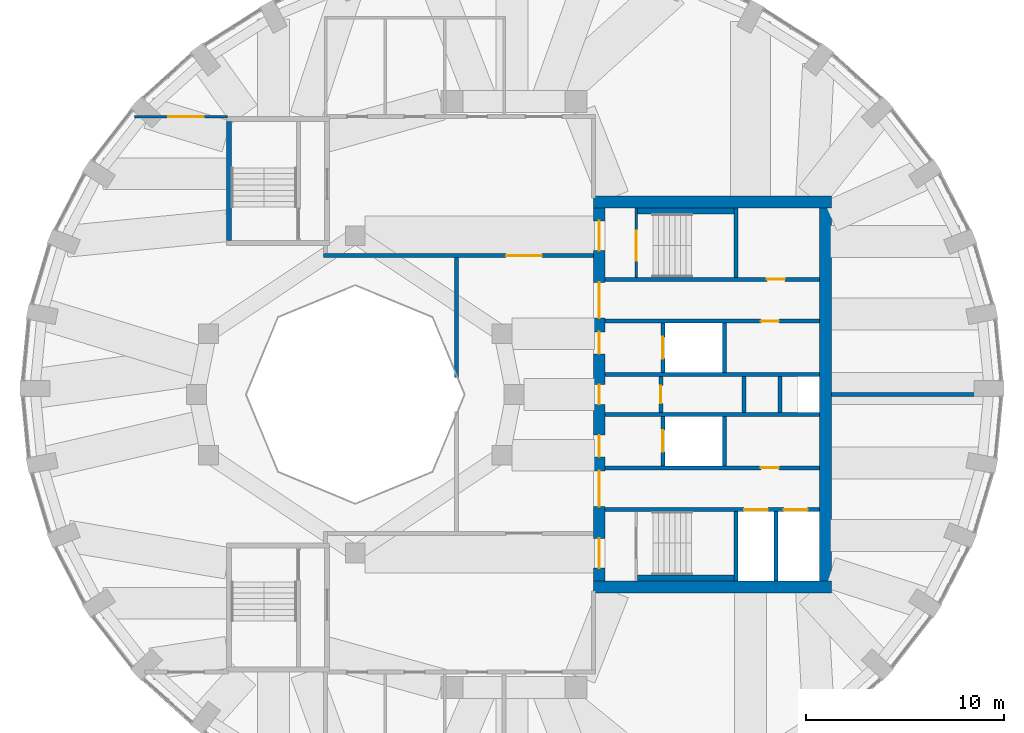
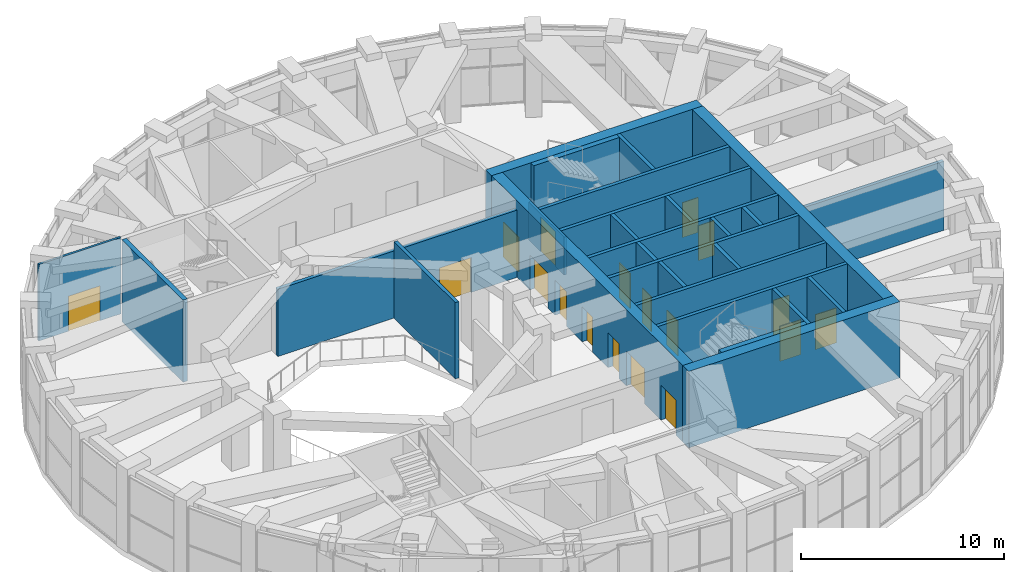
# One storey, part 13 of 16: 28 walls, 18 doors, 18 openings.
"""IFC4 building model written with IfcOpenShell, lengths in metres."""

from ifc_helpers import new_model, si_unit, direction, frame, frame_2d, origin, place, context, subcontext, project, spatial, rectangle, extrude, material, layer, layer_set, type_object, element, fill, save


model = new_model("IFC4")

# Units and contexts
model_context = context("Model", 3, precision=1e-05, world=origin(), true_north=direction((0.0, 1.0)))
body_context = subcontext(model_context, "Body", "Model", "MODEL_VIEW")
ifc_project = project(units=[si_unit("LENGTHUNIT", "METRE"), si_unit("AREAUNIT", "SQUARE_METRE"), si_unit("VOLUMEUNIT", "CUBIC_METRE"), si_unit("PLANEANGLEUNIT", "RADIAN"), si_unit("MASSUNIT", "GRAM", prefix="KILO")], contexts=[model_context])

# Site, building, storey
site_placement = place(None, origin())
site = spatial("IfcSite", under=ifc_project, at=site_placement, CompositionType="ELEMENT")
building_placement = place(site_placement, origin())
building = spatial("IfcBuilding", under=site, at=building_placement, Name="Taillehof Tower", CompositionType="ELEMENT")
storey_placement = place(building_placement, frame((0.0, 0.0, 264.199951171875)))
storey = spatial("IfcBuildingStorey", under=building, at=storey_placement, Name="L75", CompositionType="ELEMENT", Elevation=264.199951171875)

# Wall
ifc_material_1 = material(Name="Calcium silicate blockwork", Category="masonry")
ifc_layer_1 = layer(ifc_material_1, 0.199951171875)
ifc_layer_set_1 = layer_set([ifc_layer_1], Name="Compartment wall EI 60 200 mm")
wall_type_1 = type_object("IfcWallType", Name="Compartment wall EI 60 200 mm", PredefinedType="PARTITIONING", material=ifc_layer_set_1)
wall_1_placement = place(storey_placement, frame((15.998046875, 0.0, 0.0), z_axis=(0.0, 0.0, 1.0), x_axis=(1.0, 0.0, 0.0)))
element("IfcWall", 1, at=wall_1_placement, inside=storey, type_object=wall_type_1, Name="Wall L75-10 / L75-11", PredefinedType="PARTITIONING", context=body_context, shape_type="SweptSolid", body=[
    extrude(rectangle(XDim=8.232421875, YDim=0.199951171875, at=frame_2d((4.1162109375, 0.0))), origin(), (0.0, 0.0, 1.0), 4.14013671875),
])

# Wall, opening, door
wall_2_placement = place(storey_placement, frame((-9.60009765625, 7.0, 0.0), z_axis=(0.0, 0.0, 1.0), x_axis=(1.0, 0.0, 0.0)))
wall_2 = element("IfcWall", 2, at=wall_2_placement, inside=storey, type_object=wall_type_1, Name="Wall L75-07 / L75-12", PredefinedType="PARTITIONING", context=body_context, shape_type="SweptSolid", body=[
    extrude(rectangle(XDim=13.60205078125, YDim=0.199951171875, at=frame_2d((6.801025390625, 0.0))), origin(), (0.0, 0.0, 1.0), 4.0400390625),
])
opening_1_placement = place(wall_2_placement, frame((9.200927734375, 0.0, 0.0)))
opening_1 = element("IfcOpeningElement", 3, at=opening_1_placement, cuts=wall_2, Name="Opening D7547", PredefinedType="OPENING", context=body_context, shape_type="SweptSolid", body=[
    extrude(rectangle(XDim=1.800048828125, YDim=2.10009765625, at=frame_2d((0.89990234375, 1.050048828125))), frame((0.0, 0.10986328125, 0.0), z_axis=(0.0, -1.0, 0.0), x_axis=(1.0, 0.0, 0.0)), (0.0, 0.0, 1.0), 0.219970703125),
])
ifc_material_2 = material(Name="Hollow metal door set")
door_type_1 = type_object("IfcDoorType", Name="Double door 1800 x 2100 FD60S", OperationType="DOUBLE_DOOR_SINGLE_SWING", PredefinedType="DOOR", material=ifc_material_2)
door_1_placement = place(opening_1_placement, origin())
door_1 = element("IfcDoor", 4, at=door_1_placement, inside=storey, type_object=door_type_1, Name="Door D7547", OperationType="DOUBLE_DOOR_SINGLE_SWING", OverallHeight=2.10009765625, OverallWidth=1.800048828125, PredefinedType="DOOR", context=body_context, shape_type="SweptSolid", body=[
    extrude(rectangle(XDim=1.800048828125, YDim=2.10009765625, at=frame_2d((0.89990234375, 1.050048828125))), frame((0.0, 0.02490234375, 0.0), z_axis=(0.0, -1.0, 0.0), x_axis=(1.0, 0.0, 0.0)), (0.0, 0.0, 1.0), 0.050048828125),
])
fill(opening_1, door_1)

# Wall
wall_3_placement = place(storey_placement, frame((-2.89990234375, 0.86572265625, 0.0), z_axis=(0.0, 0.0, 1.0), x_axis=(0.0, 1.0, 0.0)))
element("IfcWall", 5, at=wall_3_placement, inside=storey, type_object=wall_type_1, Name="Wall L75-09 / L75-12", PredefinedType="PARTITIONING", context=body_context, shape_type="SweptSolid", body=[
    extrude(rectangle(XDim=6.0341796875, YDim=0.199951171875, at=frame_2d((3.01708984375, 0.0))), origin(), (0.0, 0.0, 1.0), 4.590087890625),
])

# Wall, opening, door
ifc_material_3 = material(Name="Calcium silicate masonry", Category="masonry")
ifc_layer_2 = layer(ifc_material_3, 0.199951171875)
ifc_layer_set_2 = layer_set([ifc_layer_2], Name="Compartment wall calcium silicate 200")
wall_type_2 = type_object("IfcWallType", Name="Compartment wall calcium silicate 200", PredefinedType="PARTITIONING", material=ifc_layer_set_2)
wall_4_placement = place(storey_placement, frame((7.39990234375, -0.89990234375, 0.0), z_axis=(0.0, 0.0, 1.0), x_axis=(0.0, 1.0, 0.0)))
wall_4 = element("IfcWall", 6, at=wall_4_placement, inside=storey, type_object=wall_type_2, Name="Compartment wall FW", PredefinedType="PARTITIONING", context=body_context, shape_type="SweptSolid", body=[
    extrude(rectangle(XDim=1.7998046875, YDim=0.199951171875, at=frame_2d((0.89990234375, 0.0))), origin(), (0.0, 0.0, 1.0), 4.590087890625),
])
opening_2_placement = place(wall_4_placement, frame((0.449951171875, 0.0, 0.0)))
opening_2 = element("IfcOpeningElement", 7, at=opening_2_placement, cuts=wall_4, Name="Opening D7515", PredefinedType="OPENING", context=body_context, shape_type="SweptSolid", body=[
    extrude(rectangle(XDim=0.89990234375, YDim=2.10009765625, at=frame_2d((0.449951171875, 1.050048828125))), frame((0.0, 0.10986328125, 0.0), z_axis=(0.0, -1.0, 0.0), x_axis=(1.0, 0.0, 0.0)), (0.0, 0.0, 1.0), 0.219970703125),
])
ifc_material_4 = material(Name="Steel-faced fire door", Category="steel")
door_type_2 = type_object("IfcDoorType", Name="Riser and service room door 900x2100", OperationType="SINGLE_SWING_LEFT", PredefinedType="DOOR", material=ifc_material_4)
door_2_placement = place(opening_2_placement, origin())
door_2 = element("IfcDoor", 8, at=door_2_placement, inside=storey, type_object=door_type_2, Name="Door Waste Room", OperationType="SINGLE_SWING_LEFT", OverallHeight=2.10009765625, OverallWidth=0.89990234375, PredefinedType="DOOR", context=body_context, shape_type="SweptSolid", body=[
    extrude(rectangle(XDim=0.89990234375, YDim=2.10009765625, at=frame_2d((0.449951171875, 1.050048828125))), frame((0.0, 0.02490234375, 0.0), z_axis=(0.0, -1.0, 0.0), x_axis=(1.0, 0.0, 0.0)), (0.0, 0.0, 1.0), 0.050048828125),
])
fill(opening_2, door_2)

# Walls
for number, where, z_axis, x_axis, name in (
    (9, (11.60009765625, -0.89990234375, 0.0), (0.0, 0.0, 1.0), (0.0, 1.0, 0.0), "Compartment wall FW"),
    (10, (13.39990234375, -0.89990234375, 0.0), (0.0, 0.0, 1.0), (0.0, 1.0, 0.0), "Compartment wall FW"),
):
    element("IfcWall", number, at=place(storey_placement, frame(where, z_axis=z_axis, x_axis=x_axis)), inside=storey, type_object=wall_type_2, Name=name, PredefinedType="PARTITIONING", context=body_context, shape_type="SweptSolid", body=[
        extrude(rectangle(XDim=1.7998046875, YDim=0.199951171875, at=frame_2d((0.89990234375, 0.0))), origin(), (0.0, 0.0, 1.0), 4.590087890625),
    ])
ifc_material_5 = material(Name="Calcium silicate masonry", Category="masonry")
ifc_layer_3 = layer(ifc_material_5, 0.300048828125)
ifc_layer_set_3 = layer_set([ifc_layer_3], Name="Compartment wall lining calcium silicate 300")
wall_type_3 = type_object("IfcWallType", Name="Compartment wall lining calcium silicate 300", PredefinedType="PARTITIONING", material=ifc_layer_set_3)
for number, where, z_axis, x_axis, name in (
    (11, (6.219970703125, 9.25, 0.0), (0.0, 0.0, 1.0), (1.0, 0.0, 0.0), "Compartment wall FW"),
    (12, (6.219970703125, -9.25, 0.0), (0.0, 0.0, 1.0), (1.0, 0.0, 0.0), "Compartment wall FW"),
):
    element("IfcWall", number, at=place(storey_placement, frame(where, z_axis=z_axis, x_axis=x_axis)), inside=storey, type_object=wall_type_3, Name=name, PredefinedType="PARTITIONING", context=body_context, shape_type="SweptSolid", body=[
        extrude(rectangle(XDim=4.880126953125, YDim=0.300048828125, at=frame_2d((2.43994140625, 0.0))), origin(), (0.0, 0.0, 1.0), 4.590087890625),
    ])

# Wall, openings, doors
ifc_material_6 = material(Name="Concrete C80/95", Category="concrete")
ifc_layer_4 = layer(ifc_material_6, 0.60009765625)
ifc_layer_set_4 = layer_set([ifc_layer_4], Name="Core wall C80/95 600")
wall_type_4 = type_object("IfcWallType", Name="Core wall C80/95 600", PredefinedType="SHEAR", material=ifc_layer_set_4)
wall_5_placement = place(storey_placement, frame((4.300048828125, -9.39990234375, 0.0), z_axis=(0.0, 0.0, 1.0), x_axis=(0.0, 1.0, 0.0)))
wall_5 = element("IfcWall", 13, at=wall_5_placement, inside=storey, type_object=wall_type_4, Name="Core wall CW01", PredefinedType="SHEAR", context=body_context, shape_type="SweptSolid", body=[
    extrude(rectangle(XDim=18.7998046875, YDim=0.60009765625, at=frame_2d((9.39990234375, 0.0))), origin(), (0.0, 0.0, 1.0), 4.590087890625),
])
opening_3_placement = place(wall_5_placement, frame((0.64990234375, 0.0, 0.0)))
opening_3 = element("IfcOpeningElement", 14, at=opening_3_placement, cuts=wall_5, Name="Opening D7501", PredefinedType="OPENING", context=body_context, shape_type="SweptSolid", body=[
    extrude(rectangle(XDim=1.5, YDim=2.10009765625, at=frame_2d((0.75, 1.050048828125))), frame((0.0, 0.31005859375, 0.0), z_axis=(0.0, -1.0, 0.0), x_axis=(1.0, 0.0, 0.0)), (0.0, 0.0, 1.0), 0.6201171875),
])
opening_4_placement = place(wall_5_placement, frame((3.75, 0.0, 0.0)))
opening_4 = element("IfcOpeningElement", 15, at=opening_4_placement, cuts=wall_5, Name="Opening D7502", PredefinedType="OPENING", context=body_context, shape_type="SweptSolid", body=[
    extrude(rectangle(XDim=1.800048828125, YDim=2.10009765625, at=frame_2d((0.89990234375, 1.050048828125))), frame((0.0, 0.31005859375, 0.0), z_axis=(0.0, -1.0, 0.0), x_axis=(1.0, 0.0, 0.0)), (0.0, 0.0, 1.0), 0.6201171875),
])
opening_5_placement = place(wall_5_placement, frame((6.25, 0.0, 0.0)))
opening_5 = element("IfcOpeningElement", 16, at=opening_5_placement, cuts=wall_5, Name="Opening D7503", PredefinedType="OPENING", context=body_context, shape_type="SweptSolid", body=[
    extrude(rectangle(XDim=1.10009765625, YDim=2.10009765625, at=frame_2d((0.550048828125, 1.050048828125))), frame((0.0, 0.31005859375, 0.0), z_axis=(0.0, -1.0, 0.0), x_axis=(1.0, 0.0, 0.0)), (0.0, 0.0, 1.0), 0.6201171875),
])
opening_6_placement = place(wall_5_placement, frame((8.89990234375, 0.0, 0.0)))
opening_6 = element("IfcOpeningElement", 17, at=opening_6_placement, cuts=wall_5, Name="Opening D7504", PredefinedType="OPENING", context=body_context, shape_type="SweptSolid", body=[
    extrude(rectangle(XDim=1.0, YDim=2.10009765625, at=frame_2d((0.5, 1.050048828125))), frame((0.0, 0.31005859375, 0.0), z_axis=(0.0, -1.0, 0.0), x_axis=(1.0, 0.0, 0.0)), (0.0, 0.0, 1.0), 0.6201171875),
])
opening_7_placement = place(wall_5_placement, frame((11.449951171875, 0.0, 0.0)))
opening_7 = element("IfcOpeningElement", 18, at=opening_7_placement, cuts=wall_5, Name="Opening D7505", PredefinedType="OPENING", context=body_context, shape_type="SweptSolid", body=[
    extrude(rectangle(XDim=1.10009765625, YDim=2.10009765625, at=frame_2d((0.550048828125, 1.050048828125))), frame((0.0, 0.31005859375, 0.0), z_axis=(0.0, -1.0, 0.0), x_axis=(1.0, 0.0, 0.0)), (0.0, 0.0, 1.0), 0.6201171875),
])
opening_8_placement = place(wall_5_placement, frame((13.25, 0.0, 0.0)))
opening_8 = element("IfcOpeningElement", 19, at=opening_8_placement, cuts=wall_5, Name="Opening D7506", PredefinedType="OPENING", context=body_context, shape_type="SweptSolid", body=[
    extrude(rectangle(XDim=1.800048828125, YDim=2.10009765625, at=frame_2d((0.89990234375, 1.050048828125))), frame((0.0, 0.31005859375, 0.0), z_axis=(0.0, -1.0, 0.0), x_axis=(1.0, 0.0, 0.0)), (0.0, 0.0, 1.0), 0.6201171875),
])
opening_9_placement = place(wall_5_placement, frame((16.64990234375, 0.0, 0.0)))
opening_9 = element("IfcOpeningElement", 20, at=opening_9_placement, cuts=wall_5, Name="Opening D7507", PredefinedType="OPENING", context=body_context, shape_type="SweptSolid", body=[
    extrude(rectangle(XDim=1.5, YDim=2.10009765625, at=frame_2d((0.75, 1.050048828125))), frame((0.0, 0.31005859375, 0.0), z_axis=(0.0, -1.0, 0.0), x_axis=(1.0, 0.0, 0.0)), (0.0, 0.0, 1.0), 0.6201171875),
])
ifc_material_7 = material(Name="Steel-faced fire door", Category="steel")
door_type_3 = type_object("IfcDoorType", Name="Firefighting lobby door 1100x2100", OperationType="SINGLE_SWING_RIGHT", PredefinedType="DOOR", material=ifc_material_7)
door_3_placement = place(opening_5_placement, origin())
door_3 = element("IfcDoor", 21, at=door_3_placement, inside=storey, type_object=door_type_3, Name="Firefighting lobby door FFL-S", OperationType="SINGLE_SWING_RIGHT", OverallHeight=2.10009765625, OverallWidth=1.10009765625, PredefinedType="DOOR", context=body_context, shape_type="SweptSolid", body=[
    extrude(rectangle(XDim=1.10009765625, YDim=2.10009765625, at=frame_2d((0.550048828125, 1.050048828125))), frame((0.0, 0.02490234375, 0.0), z_axis=(0.0, -1.0, 0.0), x_axis=(1.0, 0.0, 0.0)), (0.0, 0.0, 1.0), 0.050048828125),
])
fill(opening_5, door_3)
door_4_placement = place(opening_7_placement, origin())
door_4 = element("IfcDoor", 22, at=door_4_placement, inside=storey, type_object=door_type_3, Name="Firefighting lobby door FFL-N", OperationType="SINGLE_SWING_LEFT", OverallHeight=2.10009765625, OverallWidth=1.10009765625, PredefinedType="DOOR", context=body_context, shape_type="SweptSolid", body=[
    extrude(rectangle(XDim=1.10009765625, YDim=2.10009765625, at=frame_2d((0.550048828125, 1.050048828125))), frame((0.0, 0.02490234375, 0.0), z_axis=(0.0, -1.0, 0.0), x_axis=(1.0, 0.0, 0.0)), (0.0, 0.0, 1.0), 0.050048828125),
])
fill(opening_7, door_4)
ifc_material_8 = material(Name="Steel-faced fire door", Category="steel")
door_type_4 = type_object("IfcDoorType", Name="Lift lobby door 1800x2100", OperationType="DOUBLE_DOOR_SINGLE_SWING", PredefinedType="DOOR", material=ifc_material_8)
door_5_placement = place(opening_4_placement, origin())
door_5 = element("IfcDoor", 23, at=door_5_placement, inside=storey, type_object=door_type_4, Name="Lift lobby door LL-S", OperationType="DOUBLE_DOOR_SINGLE_SWING", OverallHeight=2.10009765625, OverallWidth=1.800048828125, PredefinedType="DOOR", context=body_context, shape_type="SweptSolid", body=[
    extrude(rectangle(XDim=1.800048828125, YDim=2.10009765625, at=frame_2d((0.89990234375, 1.050048828125))), frame((0.0, 0.02490234375, 0.0), z_axis=(0.0, -1.0, 0.0), x_axis=(1.0, 0.0, 0.0)), (0.0, 0.0, 1.0), 0.050048828125),
])
fill(opening_4, door_5)
door_6_placement = place(opening_8_placement, origin())
door_6 = element("IfcDoor", 24, at=door_6_placement, inside=storey, type_object=door_type_4, Name="Lift lobby door LL-N", OperationType="DOUBLE_DOOR_SINGLE_SWING", OverallHeight=2.10009765625, OverallWidth=1.800048828125, PredefinedType="DOOR", context=body_context, shape_type="SweptSolid", body=[
    extrude(rectangle(XDim=1.800048828125, YDim=2.10009765625, at=frame_2d((0.89990234375, 1.050048828125))), frame((0.0, 0.02490234375, 0.0), z_axis=(0.0, -1.0, 0.0), x_axis=(1.0, 0.0, 0.0)), (0.0, 0.0, 1.0), 0.050048828125),
])
fill(opening_8, door_6)
ifc_material_9 = material(Name="Steel-faced fire door", Category="steel")
door_type_5 = type_object("IfcDoorType", Name="Service door 1000x2100", OperationType="SINGLE_SWING_RIGHT", PredefinedType="DOOR", material=ifc_material_9)
door_7_placement = place(opening_6_placement, origin())
door_7 = element("IfcDoor", 25, at=door_7_placement, inside=storey, type_object=door_type_5, Name="Service door SV", OperationType="SINGLE_SWING_RIGHT", OverallHeight=2.10009765625, OverallWidth=1.0, PredefinedType="DOOR", context=body_context, shape_type="SweptSolid", body=[
    extrude(rectangle(XDim=1.0, YDim=2.10009765625, at=frame_2d((0.5, 1.050048828125))), frame((0.0, 0.02490234375, 0.0), z_axis=(0.0, -1.0, 0.0), x_axis=(1.0, 0.0, 0.0)), (0.0, 0.0, 1.0), 0.050048828125),
])
fill(opening_6, door_7)
ifc_material_10 = material(Name="Steel-faced fire door", Category="steel")
door_type_6 = type_object("IfcDoorType", Name="Stair door 1500x2100", OperationType="DOUBLE_DOOR_SINGLE_SWING", PredefinedType="DOOR", material=ifc_material_10)
door_8_placement = place(opening_3_placement, origin())
door_8 = element("IfcDoor", 26, at=door_8_placement, inside=storey, type_object=door_type_6, Name="Stair door S2", OperationType="DOUBLE_DOOR_SINGLE_SWING", OverallHeight=2.10009765625, OverallWidth=1.5, PredefinedType="DOOR", context=body_context, shape_type="SweptSolid", body=[
    extrude(rectangle(XDim=1.5, YDim=2.10009765625, at=frame_2d((0.75, 1.050048828125))), frame((0.0, 0.02490234375, 0.0), z_axis=(0.0, -1.0, 0.0), x_axis=(1.0, 0.0, 0.0)), (0.0, 0.0, 1.0), 0.050048828125),
])
fill(opening_3, door_8)
door_9_placement = place(opening_9_placement, origin())
door_9 = element("IfcDoor", 27, at=door_9_placement, inside=storey, type_object=door_type_6, Name="Stair door S1", OperationType="DOUBLE_DOOR_SINGLE_SWING", OverallHeight=2.10009765625, OverallWidth=1.5, PredefinedType="DOOR", context=body_context, shape_type="SweptSolid", body=[
    extrude(rectangle(XDim=1.5, YDim=2.10009765625, at=frame_2d((0.75, 1.050048828125))), frame((0.0, 0.02490234375, 0.0), z_axis=(0.0, -1.0, 0.0), x_axis=(1.0, 0.0, 0.0)), (0.0, 0.0, 1.0), 0.050048828125),
])
fill(opening_9, door_9)

# Walls
wall_6_placement = place(storey_placement, frame((15.699951171875, -9.39990234375, 0.0), z_axis=(0.0, 0.0, 1.0), x_axis=(0.0, 1.0, 0.0)))
element("IfcWall", 28, at=wall_6_placement, inside=storey, type_object=wall_type_4, Name="Core wall CW05", PredefinedType="SHEAR", context=body_context, shape_type="SweptSolid", body=[
    extrude(rectangle(XDim=18.7998046875, YDim=0.60009765625, at=frame_2d((9.39990234375, 0.0))), origin(), (0.0, 0.0, 1.0), 4.590087890625),
])
for number, where, z_axis, x_axis, name in (
    (29, (4.0, 9.699951171875, 0.0), (0.0, 0.0, 1.0), (1.0, 0.0, 0.0), "Core wall CW06"),
    (30, (4.0, -9.699951171875, 0.0), (0.0, 0.0, 1.0), (1.0, 0.0, 0.0), "Core wall CW07"),
):
    element("IfcWall", number, at=place(storey_placement, frame(where, z_axis=z_axis, x_axis=x_axis)), inside=storey, type_object=wall_type_4, Name=name, PredefinedType="SHEAR", context=body_context, shape_type="SweptSolid", body=[
        extrude(rectangle(XDim=12.0, YDim=0.60009765625, at=frame_2d((6.0, 0.0))), origin(), (0.0, 0.0, 1.0), 4.590087890625),
    ])

# Wall, opening, door
ifc_material_11 = material(Name="Gypsum board partition on steel studs", Category="steel")
ifc_layer_5 = layer(ifc_material_11, 0.125)
ifc_layer_set_5 = layer_set([ifc_layer_5], Name="Partition wall EI 30 125 mm")
wall_type_5 = type_object("IfcWallType", Name="Partition wall EI 30 125 mm", PredefinedType="PARTITIONING", material=ifc_layer_set_5)
wall_7_placement = place(storey_placement, frame((-19.12109375, 14.0, 0.0), z_axis=(0.0, 0.0, 1.0), x_axis=(1.0, 0.0, 0.0)))
wall_7 = element("IfcWall", 31, at=wall_7_placement, inside=storey, type_object=wall_type_5, Name="Wall L75-10 / L75-12", PredefinedType="PARTITIONING", context=body_context, shape_type="SweptSolid", body=[
    extrude(rectangle(XDim=4.68359375, YDim=0.125, at=frame_2d((2.341796875, 0.0))), origin(), (0.0, 0.0, 1.0), 4.590087890625),
])
opening_10_placement = place(wall_7_placement, frame((1.69189453125, 0.0, 0.0)))
opening_10 = element("IfcOpeningElement", 32, at=opening_10_placement, cuts=wall_7, Name="Opening D7548", PredefinedType="OPENING", context=body_context, shape_type="SweptSolid", body=[
    extrude(rectangle(XDim=1.800048828125, YDim=2.10009765625, at=frame_2d((0.89990234375, 1.050048828125))), frame((0.0, 0.072509765625, 0.0), z_axis=(0.0, -1.0, 0.0), x_axis=(1.0, 0.0, 0.0)), (0.0, 0.0, 1.0), 0.14501953125),
])
ifc_material_12 = material(Name="Hollow metal door set")
door_type_7 = type_object("IfcDoorType", Name="Double door 1800 x 2100 FD30S", OperationType="DOUBLE_DOOR_SINGLE_SWING", PredefinedType="DOOR", material=ifc_material_12)
door_10_placement = place(opening_10_placement, origin())
door_10 = element("IfcDoor", 33, at=door_10_placement, inside=storey, type_object=door_type_7, Name="Door D7548", OperationType="DOUBLE_DOOR_SINGLE_SWING", OverallHeight=2.10009765625, OverallWidth=1.800048828125, PredefinedType="DOOR", context=body_context, shape_type="SweptSolid", body=[
    extrude(rectangle(XDim=1.800048828125, YDim=2.10009765625, at=frame_2d((0.89990234375, 1.050048828125))), frame((0.0, 0.02490234375, 0.0), z_axis=(0.0, -1.0, 0.0), x_axis=(1.0, 0.0, 0.0)), (0.0, 0.0, 1.0), 0.050048828125),
])
fill(opening_10, door_10)

ifc_material_13 = material(Name="Concrete C50/60", Category="concrete")
ifc_layer_6 = layer(ifc_material_13, 0.199951171875)
ifc_layer_set_6 = layer_set([ifc_layer_6], Name="Shaft wall C50/60 200")
wall_type_6 = type_object("IfcWallType", Name="Shaft wall C50/60 200", PredefinedType="SHEAR", material=ifc_layer_set_6)
wall_8_placement = place(storey_placement, frame((4.60009765625, 5.800048828125, 0.0), z_axis=(0.0, 0.0, 1.0), x_axis=(1.0, 0.0, 0.0)))
wall_8 = element("IfcWall", 34, at=wall_8_placement, inside=storey, type_object=wall_type_6, Name="Shaft wall SW", PredefinedType="SHEAR", context=body_context, shape_type="SweptSolid", body=[
    extrude(rectangle(XDim=10.7998046875, YDim=0.199951171875, at=frame_2d((5.39990234375, 0.0))), origin(), (0.0, 0.0, 1.0), 4.590087890625),
])
opening_11_placement = place(wall_8_placement, frame((8.14990234375, 0.0, 0.0)))
opening_11 = element("IfcOpeningElement", 35, at=opening_11_placement, cuts=wall_8, Name="Opening D7512", PredefinedType="OPENING", context=body_context, shape_type="SweptSolid", body=[
    extrude(rectangle(XDim=0.89990234375, YDim=2.10009765625, at=frame_2d((0.449951171875, 1.050048828125))), frame((0.0, 0.10986328125, 0.0), z_axis=(0.0, -1.0, 0.0), x_axis=(1.0, 0.0, 0.0)), (0.0, 0.0, 1.0), 0.219970703125),
])
door_11_placement = place(opening_11_placement, origin())
door_11 = element("IfcDoor", 36, at=door_11_placement, inside=storey, type_object=door_type_2, Name="Door Waste Room", OperationType="SINGLE_SWING_LEFT", OverallHeight=2.10009765625, OverallWidth=0.89990234375, PredefinedType="DOOR", context=body_context, shape_type="SweptSolid", body=[
    extrude(rectangle(XDim=0.89990234375, YDim=2.10009765625, at=frame_2d((0.449951171875, 1.050048828125))), frame((0.0, 0.02490234375, 0.0), z_axis=(0.0, -1.0, 0.0), x_axis=(1.0, 0.0, 0.0)), (0.0, 0.0, 1.0), 0.050048828125),
])
fill(opening_11, door_11)

wall_9_placement = place(storey_placement, frame((4.60009765625, 3.699951171875, 0.0), z_axis=(0.0, 0.0, 1.0), x_axis=(1.0, 0.0, 0.0)))
wall_9 = element("IfcWall", 37, at=wall_9_placement, inside=storey, type_object=wall_type_6, Name="Shaft wall SW", PredefinedType="SHEAR", context=body_context, shape_type="SweptSolid", body=[
    extrude(rectangle(XDim=10.7998046875, YDim=0.199951171875, at=frame_2d((5.39990234375, 0.0))), origin(), (0.0, 0.0, 1.0), 4.590087890625),
])
opening_12_placement = place(wall_9_placement, frame((7.85009765625, 0.0, 0.0)))
opening_12 = element("IfcOpeningElement", 38, at=opening_12_placement, cuts=wall_9, Name="Opening D7513", PredefinedType="OPENING", context=body_context, shape_type="SweptSolid", body=[
    extrude(rectangle(XDim=0.89990234375, YDim=2.10009765625, at=frame_2d((0.449951171875, 1.050048828125))), frame((0.0, 0.10986328125, 0.0), z_axis=(0.0, -1.0, 0.0), x_axis=(1.0, 0.0, 0.0)), (0.0, 0.0, 1.0), 0.219970703125),
])
door_12_placement = place(opening_12_placement, origin())
door_12 = element("IfcDoor", 39, at=door_12_placement, inside=storey, type_object=door_type_2, Name="Door Electrical Room", OperationType="SINGLE_SWING_RIGHT", OverallHeight=2.10009765625, OverallWidth=0.89990234375, PredefinedType="DOOR", context=body_context, shape_type="SweptSolid", body=[
    extrude(rectangle(XDim=0.89990234375, YDim=2.10009765625, at=frame_2d((0.449951171875, 1.050048828125))), frame((0.0, 0.02490234375, 0.0), z_axis=(0.0, -1.0, 0.0), x_axis=(1.0, 0.0, 0.0)), (0.0, 0.0, 1.0), 0.050048828125),
])
fill(opening_12, door_12)

# Walls
for number, where, z_axis, x_axis, name in (
    (40, (4.60009765625, 1.0, 0.0), (0.0, 0.0, 1.0), (1.0, 0.0, 0.0), "Shaft wall SW"),
    (41, (4.60009765625, -1.0, 0.0), (0.0, 0.0, 1.0), (1.0, 0.0, 0.0), "Shaft wall SW"),
):
    element("IfcWall", number, at=place(storey_placement, frame(where, z_axis=z_axis, x_axis=x_axis)), inside=storey, type_object=wall_type_6, Name=name, PredefinedType="SHEAR", context=body_context, shape_type="SweptSolid", body=[
        extrude(rectangle(XDim=10.7998046875, YDim=0.199951171875, at=frame_2d((5.39990234375, 0.0))), origin(), (0.0, 0.0, 1.0), 4.590087890625),
    ])

# Wall, opening, door
wall_10_placement = place(storey_placement, frame((4.60009765625, -3.699951171875, 0.0), z_axis=(0.0, 0.0, 1.0), x_axis=(1.0, 0.0, 0.0)))
wall_10 = element("IfcWall", 42, at=wall_10_placement, inside=storey, type_object=wall_type_6, Name="Shaft wall SW", PredefinedType="SHEAR", context=body_context, shape_type="SweptSolid", body=[
    extrude(rectangle(XDim=10.7998046875, YDim=0.199951171875, at=frame_2d((5.39990234375, 0.0))), origin(), (0.0, 0.0, 1.0), 4.590087890625),
])
opening_13_placement = place(wall_10_placement, frame((7.85009765625, 0.0, 0.0)))
opening_13 = element("IfcOpeningElement", 43, at=opening_13_placement, cuts=wall_10, Name="Opening D7514", PredefinedType="OPENING", context=body_context, shape_type="SweptSolid", body=[
    extrude(rectangle(XDim=0.89990234375, YDim=2.10009765625, at=frame_2d((0.449951171875, 1.050048828125))), frame((0.0, 0.10986328125, 0.0), z_axis=(0.0, -1.0, 0.0), x_axis=(1.0, 0.0, 0.0)), (0.0, 0.0, 1.0), 0.219970703125),
])
door_13_placement = place(opening_13_placement, origin())
door_13 = element("IfcDoor", 44, at=door_13_placement, inside=storey, type_object=door_type_2, Name="Door Ice And Pantry Room", OperationType="SINGLE_SWING_LEFT", OverallHeight=2.10009765625, OverallWidth=0.89990234375, PredefinedType="DOOR", context=body_context, shape_type="SweptSolid", body=[
    extrude(rectangle(XDim=0.89990234375, YDim=2.10009765625, at=frame_2d((0.449951171875, 1.050048828125))), frame((0.0, 0.02490234375, 0.0), z_axis=(0.0, -1.0, 0.0), x_axis=(1.0, 0.0, 0.0)), (0.0, 0.0, 1.0), 0.050048828125),
])
fill(opening_13, door_13)

# Wall, openings, doors
wall_11_placement = place(storey_placement, frame((4.60009765625, -5.800048828125, 0.0), z_axis=(0.0, 0.0, 1.0), x_axis=(1.0, 0.0, 0.0)))
wall_11 = element("IfcWall", 45, at=wall_11_placement, inside=storey, type_object=wall_type_6, Name="Shaft wall SW", PredefinedType="SHEAR", context=body_context, shape_type="SweptSolid", body=[
    extrude(rectangle(XDim=10.7998046875, YDim=0.199951171875, at=frame_2d((5.39990234375, 0.0))), origin(), (0.0, 0.0, 1.0), 4.590087890625),
])
opening_14_placement = place(wall_11_placement, frame((7.0, 0.0, 0.0)))
opening_14 = element("IfcOpeningElement", 46, at=opening_14_placement, cuts=wall_11, Name="Opening LD2", PredefinedType="OPENING", context=body_context, shape_type="SweptSolid", body=[
    extrude(rectangle(XDim=1.199951171875, YDim=2.10009765625, at=frame_2d((0.60009765625, 1.050048828125))), frame((0.0, 0.10986328125, 0.0), z_axis=(0.0, -1.0, 0.0), x_axis=(1.0, 0.0, 0.0)), (0.0, 0.0, 1.0), 0.219970703125),
])
opening_15_placement = place(wall_11_placement, frame((9.0, 0.0, 0.0)))
opening_15 = element("IfcOpeningElement", 47, at=opening_15_placement, cuts=wall_11, Name="Opening LD2", PredefinedType="OPENING", context=body_context, shape_type="SweptSolid", body=[
    extrude(rectangle(XDim=1.199951171875, YDim=2.10009765625, at=frame_2d((0.60009765625, 1.050048828125))), frame((0.0, 0.10986328125, 0.0), z_axis=(0.0, -1.0, 0.0), x_axis=(1.0, 0.0, 0.0)), (0.0, 0.0, 1.0), 0.219970703125),
])
ifc_material_14 = material(Name="Stainless steel", Category="steel")
door_type_8 = type_object("IfcDoorType", Name="Lift landing door LD2 1200x2100", OperationType="DOUBLE_DOOR_SLIDING", PredefinedType="DOOR", material=ifc_material_14)
door_14_placement = place(opening_14_placement, origin())
door_14 = element("IfcDoor", 48, at=door_14_placement, inside=storey, type_object=door_type_8, Name="Landing door OB1", OperationType="DOUBLE_DOOR_SLIDING", OverallHeight=2.10009765625, OverallWidth=1.199951171875, PredefinedType="DOOR", context=body_context, shape_type="SweptSolid", body=[
    extrude(rectangle(XDim=1.199951171875, YDim=2.10009765625, at=frame_2d((0.60009765625, 1.050048828125))), frame((0.0, 0.02490234375, 0.0), z_axis=(0.0, -1.0, 0.0), x_axis=(1.0, 0.0, 0.0)), (0.0, 0.0, 1.0), 0.050048828125),
])
fill(opening_14, door_14)
door_15_placement = place(opening_15_placement, origin())
door_15 = element("IfcDoor", 49, at=door_15_placement, inside=storey, type_object=door_type_8, Name="Landing door OB2", OperationType="DOUBLE_DOOR_SLIDING", OverallHeight=2.10009765625, OverallWidth=1.199951171875, PredefinedType="DOOR", context=body_context, shape_type="SweptSolid", body=[
    extrude(rectangle(XDim=1.199951171875, YDim=2.10009765625, at=frame_2d((0.60009765625, 1.050048828125))), frame((0.0, 0.02490234375, 0.0), z_axis=(0.0, -1.0, 0.0), x_axis=(1.0, 0.0, 0.0)), (0.0, 0.0, 1.0), 0.050048828125),
])
fill(opening_15, door_15)

# Walls
for number, where, z_axis, x_axis, name in (
    (50, (11.199951171875, 5.89990234375, 0.0), (0.0, 0.0, 1.0), (0.0, 1.0, 0.0), "Shaft wall SW"),
    (51, (11.199951171875, -9.39990234375, 0.0), (0.0, 0.0, 1.0), (0.0, 1.0, 0.0), "Shaft wall SW"),
    (52, (13.199951171875, -9.39990234375, 0.0), (0.0, 0.0, 1.0), (0.0, 1.0, 0.0), "Shaft wall SW"),
):
    element("IfcWall", number, at=place(storey_placement, frame(where, z_axis=z_axis, x_axis=x_axis)), inside=storey, type_object=wall_type_6, Name=name, PredefinedType="SHEAR", context=body_context, shape_type="SweptSolid", body=[
        extrude(rectangle(XDim=3.5, YDim=0.199951171875, at=frame_2d((1.75, 0.0))), origin(), (0.0, 0.0, 1.0), 4.590087890625),
    ])

# Wall, opening, door
wall_12_placement = place(storey_placement, frame((7.5, 1.10009765625, 0.0), z_axis=(0.0, 0.0, 1.0), x_axis=(0.0, 1.0, 0.0)))
wall_12 = element("IfcWall", 53, at=wall_12_placement, inside=storey, type_object=wall_type_6, Name="Shaft wall SW", PredefinedType="SHEAR", context=body_context, shape_type="SweptSolid", body=[
    extrude(rectangle(XDim=2.5, YDim=0.199951171875, at=frame_2d((1.25, 0.0))), origin(), (0.0, 0.0, 1.0), 4.590087890625),
])
opening_16_placement = place(wall_12_placement, frame((0.699951171875, 0.0, 0.0)))
opening_16 = element("IfcOpeningElement", 54, at=opening_16_placement, cuts=wall_12, Name="Opening LD1", PredefinedType="OPENING", context=body_context, shape_type="SweptSolid", body=[
    extrude(rectangle(XDim=1.10009765625, YDim=2.10009765625, at=frame_2d((0.550048828125, 1.050048828125))), frame((0.0, 0.10986328125, 0.0), z_axis=(0.0, -1.0, 0.0), x_axis=(1.0, 0.0, 0.0)), (0.0, 0.0, 1.0), 0.219970703125),
])
ifc_material_15 = material(Name="Stainless steel", Category="steel")
door_type_9 = type_object("IfcDoorType", Name="Lift landing door LD1 1100x2100", OperationType="DOUBLE_DOOR_SLIDING", PredefinedType="DOOR", material=ifc_material_15)
door_16_placement = place(opening_16_placement, origin())
door_16 = element("IfcDoor", 55, at=door_16_placement, inside=storey, type_object=door_type_9, Name="Landing door FF1", OperationType="DOUBLE_DOOR_SLIDING", OverallHeight=2.10009765625, OverallWidth=1.10009765625, PredefinedType="DOOR", context=body_context, shape_type="SweptSolid", body=[
    extrude(rectangle(XDim=1.10009765625, YDim=2.10009765625, at=frame_2d((0.550048828125, 1.050048828125))), frame((0.0, 0.02490234375, 0.0), z_axis=(0.0, -1.0, 0.0), x_axis=(1.0, 0.0, 0.0)), (0.0, 0.0, 1.0), 0.050048828125),
])
fill(opening_16, door_16)

wall_13_placement = place(storey_placement, frame((7.5, -3.60009765625, 0.0), z_axis=(0.0, 0.0, 1.0), x_axis=(0.0, 1.0, 0.0)))
wall_13 = element("IfcWall", 56, at=wall_13_placement, inside=storey, type_object=wall_type_6, Name="Shaft wall SW", PredefinedType="SHEAR", context=body_context, shape_type="SweptSolid", body=[
    extrude(rectangle(XDim=2.5, YDim=0.199951171875, at=frame_2d((1.25, 0.0))), origin(), (0.0, 0.0, 1.0), 4.590087890625),
])
opening_17_placement = place(wall_13_placement, frame((0.699951171875, 0.0, 0.0)))
opening_17 = element("IfcOpeningElement", 57, at=opening_17_placement, cuts=wall_13, Name="Opening LD1", PredefinedType="OPENING", context=body_context, shape_type="SweptSolid", body=[
    extrude(rectangle(XDim=1.10009765625, YDim=2.10009765625, at=frame_2d((0.550048828125, 1.050048828125))), frame((0.0, 0.10986328125, 0.0), z_axis=(0.0, -1.0, 0.0), x_axis=(1.0, 0.0, 0.0)), (0.0, 0.0, 1.0), 0.219970703125),
])
door_17_placement = place(opening_17_placement, origin())
door_17 = element("IfcDoor", 58, at=door_17_placement, inside=storey, type_object=door_type_9, Name="Landing door FF2", OperationType="DOUBLE_DOOR_SLIDING", OverallHeight=2.10009765625, OverallWidth=1.10009765625, PredefinedType="DOOR", context=body_context, shape_type="SweptSolid", body=[
    extrude(rectangle(XDim=1.10009765625, YDim=2.10009765625, at=frame_2d((0.550048828125, 1.050048828125))), frame((0.0, 0.02490234375, 0.0), z_axis=(0.0, -1.0, 0.0), x_axis=(1.0, 0.0, 0.0)), (0.0, 0.0, 1.0), 0.050048828125),
])
fill(opening_17, door_17)

# Walls
for number, where, z_axis, x_axis, name in (
    (59, (10.60009765625, 1.10009765625, 0.0), (0.0, 0.0, 1.0), (0.0, 1.0, 0.0), "Shaft wall SW"),
    (60, (10.60009765625, -3.60009765625, 0.0), (0.0, 0.0, 1.0), (0.0, 1.0, 0.0), "Shaft wall SW"),
):
    element("IfcWall", number, at=place(storey_placement, frame(where, z_axis=z_axis, x_axis=x_axis)), inside=storey, type_object=wall_type_6, Name=name, PredefinedType="SHEAR", context=body_context, shape_type="SweptSolid", body=[
        extrude(rectangle(XDim=2.5, YDim=0.199951171875, at=frame_2d((1.25, 0.0))), origin(), (0.0, 0.0, 1.0), 4.590087890625),
    ])

# Wall, opening, door
ifc_material_16 = material(Name="Concrete C50/60", Category="concrete")
ifc_layer_7 = layer(ifc_material_16, 0.1201171875)
ifc_layer_set_7 = layer_set([ifc_layer_7], Name="Stair lobby wall C50/60 120")
wall_type_7 = type_object("IfcWallType", Name="Stair lobby wall C50/60 120", PredefinedType="SHEAR", material=ifc_layer_set_7)
wall_14_placement = place(storey_placement, frame((6.159912109375, 5.89990234375, 0.0), z_axis=(0.0, 0.0, 1.0), x_axis=(0.0, 1.0, 0.0)))
wall_14 = element("IfcWall", 61, at=wall_14_placement, inside=storey, type_object=wall_type_7, Name="Compartment wall SW", PredefinedType="SHEAR", context=body_context, shape_type="SweptSolid", body=[
    extrude(rectangle(XDim=3.5, YDim=0.1201171875, at=frame_2d((1.75, 0.0))), origin(), (0.0, 0.0, 1.0), 2.2900390625),
])
opening_18_placement = place(wall_14_placement, frame((0.85009765625, 0.0, 0.0)))
opening_18 = element("IfcOpeningElement", 62, at=opening_18_placement, cuts=wall_14, Name="Opening D7508", PredefinedType="OPENING", context=body_context, shape_type="SweptSolid", body=[
    extrude(rectangle(XDim=1.5, YDim=2.10009765625, at=frame_2d((0.75, 1.050048828125))), frame((0.0, 0.070068359375, 0.0), z_axis=(0.0, -1.0, 0.0), x_axis=(1.0, 0.0, 0.0)), (0.0, 0.0, 1.0), 0.14013671875),
])
door_18_placement = place(opening_18_placement, origin())
door_18 = element("IfcDoor", 63, at=door_18_placement, inside=storey, type_object=door_type_6, Name="Stair lobby door S1", OperationType="DOUBLE_DOOR_SINGLE_SWING", OverallHeight=2.10009765625, OverallWidth=1.5, PredefinedType="DOOR", context=body_context, shape_type="SweptSolid", body=[
    extrude(rectangle(XDim=1.5, YDim=2.10009765625, at=frame_2d((0.75, 1.050048828125))), frame((0.0, 0.02490234375, 0.0), z_axis=(0.0, -1.0, 0.0), x_axis=(1.0, 0.0, 0.0)), (0.0, 0.0, 1.0), 0.050048828125),
])
fill(opening_18, door_18)

# Wall
ifc_material_17 = material(Name="Concrete C50/60", Category="concrete")
ifc_layer_8 = layer(ifc_material_17, 0.25)
ifc_layer_set_8 = layer_set([ifc_layer_8], Name="Stair wall C50/60 250")
wall_type_8 = type_object("IfcWallType", Name="Stair wall C50/60 250", PredefinedType="SHEAR", material=ifc_layer_set_8)
wall_15_placement = place(storey_placement, frame((-14.375, 7.75, -0.349853515625), z_axis=(0.0, 0.0, 1.0), x_axis=(0.0, 1.0, 0.0)))
element("IfcWall", 64, at=wall_15_placement, inside=storey, type_object=wall_type_8, Name="Stair wall SC", PredefinedType="SHEAR", context=body_context, shape_type="SweptSolid", body=[
    extrude(rectangle(XDim=6.0, YDim=0.25, at=frame_2d((3.0, 0.0))), origin(), (0.0, 0.0, 1.0), 4.93994140625),
])

save(model, "model.ifc")
